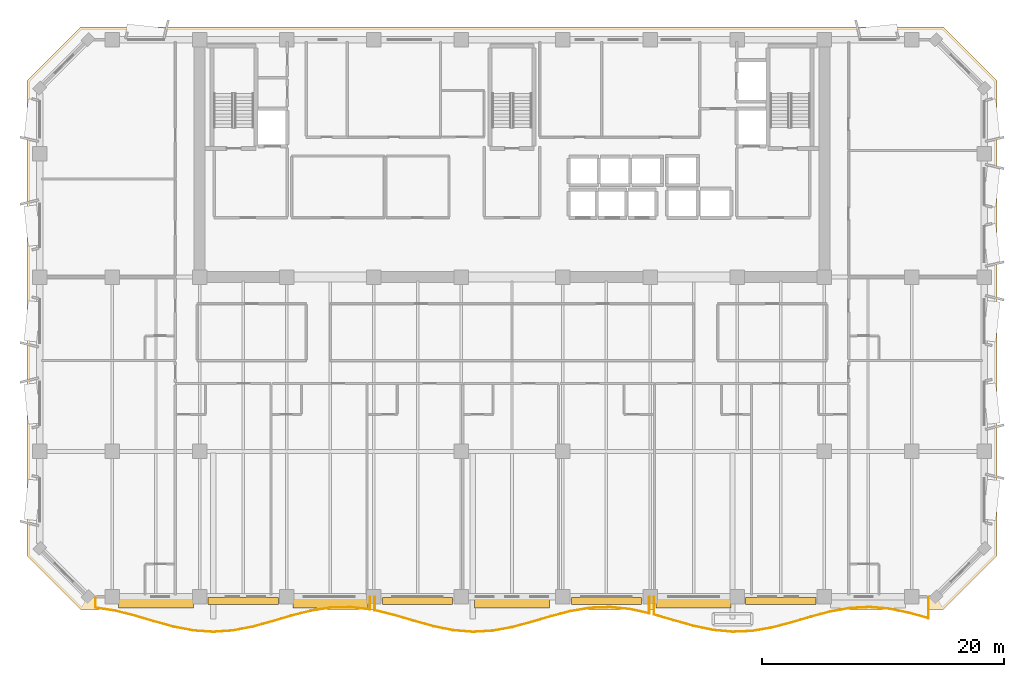
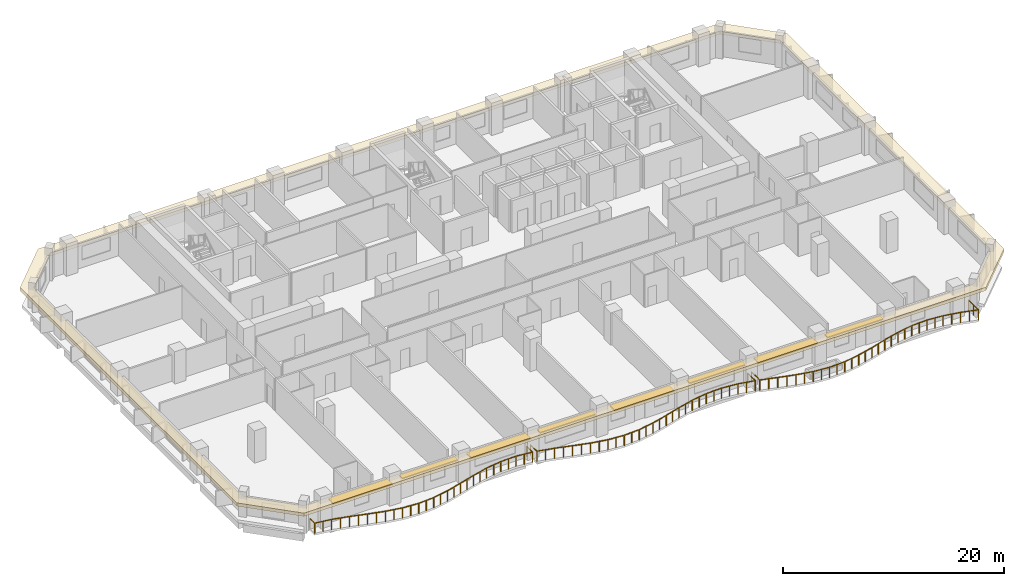
# One storey, part 11 of 15: 8 shading devices, 3 railings, 1 covering.
"""IFC4 building model written with IfcOpenShell, lengths in metres."""

from ifc_helpers import new_model, si_unit, direction, frame, origin, origin_2d, place, context, subcontext, project, spatial, polyline, rectangle, outline, extrude, material, layer, layer_set, type_object, element, save


model = new_model("IFC4")

# Units and contexts
model_context = context("Model", 3, precision=1e-05, world=origin(), true_north=direction((0.0, 1.0)))
body_context = subcontext(model_context, "Body", "Model", "MODEL_VIEW")
ifc_project = project(units=[si_unit("LENGTHUNIT", "METRE"), si_unit("AREAUNIT", "SQUARE_METRE"), si_unit("VOLUMEUNIT", "CUBIC_METRE"), si_unit("PLANEANGLEUNIT", "RADIAN"), si_unit("MASSUNIT", "GRAM", prefix="KILO")], contexts=[model_context])

# Site, building, storey
site_placement = place(None, origin())
site = spatial("IfcSite", under=ifc_project, at=site_placement, CompositionType="ELEMENT")
building_placement = place(site_placement, origin())
building = spatial("IfcBuilding", under=site, at=building_placement, Name="Kaelvorn Grand Hotel", CompositionType="ELEMENT")
storey_placement = place(building_placement, frame((0.0, 0.0, 173.35009765625)))
storey = spatial("IfcBuildingStorey", under=building, at=storey_placement, Name="L42", CompositionType="ELEMENT", Elevation=173.35009765625)

# Covering
ifc_material_1 = material(Name="Precast concrete C45/55", Category="concrete")
ifc_layer_1 = layer(ifc_material_1, 0.260009765625)
ifc_layer_set_1 = layer_set([ifc_layer_1], Name="Precast concrete C45/55")
covering_type = type_object("IfcCoveringType", Name="COV-BAND-STREAMLINE-HEAD", PredefinedType="CLADDING", material=ifc_layer_set_1)
covering_placement = place(storey_placement, frame((0.0, 0.0, 2.3798828125)))
element("IfcCovering", 1, at=covering_placement, inside=storey, type_object=covering_type, Name="L42 Streamline Moderne Wraparound Horizontal Eyebrow Band", PredefinedType="CLADDING", context=body_context, shape_type="SweptSolid", body=[
    extrude(outline(polyline([(6.389892578125, 1.949951171875), (77.610107421875, 1.949951171875), (82.050048828125, 6.389892578125), (82.050048828125, 45.610107421875), (77.610107421875, 50.050048828125), (6.389892578125, 50.050048828125), (1.949951171875, 45.610107421875), (1.949951171875, 6.389892578125), (6.389892578125, 1.949951171875)]), holes=[polyline([(7.02001953125, 3.030029296875), (76.97998046875, 3.030029296875), (80.969970703125, 7.02001953125), (80.969970703125, 44.97998046875), (76.97998046875, 48.969970703125), (7.02001953125, 48.969970703125), (3.030029296875, 44.97998046875), (3.030029296875, 7.02001953125), (7.02001953125, 3.030029296875)])]), origin(), (0.0, 0.0, 1.0), 0.360107421875),
])

# Railings
ifc_material_2 = material(Name="Stainless Steel", Category="steel")
railing_type = type_object("IfcRailingType", Name="RL-BALC-1150", PredefinedType="BALUSTRADE", material=ifc_material_2)
railing_1_placement = place(storey_placement, frame((7.60009765625, 3.0, 0.0)))
element("IfcRailing", 2, at=railing_1_placement, inside=storey, type_object=railing_type, Name="L42 Scalloped Wave Balcony Balustrade GR1-1", PredefinedType="BALUSTRADE", context=body_context, shape_type="SweptSolid", body=[
    extrude(rectangle(XDim=0.048095703125, YDim=0.048095703125, at=origin_2d()), frame((0.0, 0.0, 1.1259765625), z_axis=(0.0, -1.0, 0.0), x_axis=(1.0, 0.0, 0.0)), (0.0, 0.0, 1.0), 0.900146484375),
    extrude(rectangle(XDim=0.048095703125, YDim=0.048095703125, at=origin_2d()), frame((0.0, -0.900146484375, 1.1259765625), z_axis=(0.988307858042, -0.152471563682, 0.0), x_axis=(0.152471563682, 0.988307858042, 0.0)), (0.0, 0.0, 1.0), 1.637939453125),
    extrude(rectangle(XDim=0.048095703125, YDim=0.048095703125, at=origin_2d()), frame((1.618896484375, -1.14990234375, 1.1259765625), z_axis=(0.969728239304, -0.244186694758, 0.0), x_axis=(0.244186694758, 0.969728239304, 0.0)), (0.0, 0.0, 1.0), 1.669677734375),
    extrude(rectangle(XDim=0.048095703125, YDim=0.048095703125, at=origin_2d()), frame((3.238037109375, -1.5576171875, 1.1259765625), z_axis=(0.959259470677, -0.282526579133, 0.0), x_axis=(0.282526579133, 0.959259470677, 0.0)), (0.0, 0.0, 1.0), 1.687744140625),
    extrude(rectangle(XDim=0.048095703125, YDim=0.048095703125, at=origin_2d()), frame((4.85693359375, -2.034423828125, 1.1259765625), z_axis=(0.964679853883, -0.26342509279, 0.0), x_axis=(0.26342509279, 0.964679853883, 0.0)), (0.0, 0.0, 1.0), 1.678466796875),
    extrude(rectangle(XDim=0.048095703125, YDim=0.048095703125, at=origin_2d()), frame((6.47607421875, -2.4765625, 1.1259765625), z_axis=(0.982044449616, -0.188649672619, 0.0), x_axis=(0.188649672619, 0.982044449616, 0.0)), (0.0, 0.0, 1.0), 1.648681640625),
    extrude(rectangle(XDim=0.048095703125, YDim=0.048095703125, at=origin_2d()), frame((8.09521484375, -2.78759765625, 1.1259765625), z_axis=(0.997602472626, -0.069204816379, 0.0), x_axis=(0.069204816379, 0.997602472626, 0.0)), (0.0, 0.0, 1.0), 1.622802734375),
    extrude(rectangle(XDim=0.048095703125, YDim=0.048095703125, at=origin_2d()), frame((9.714111328125, -2.89990234375, 1.1259765625), z_axis=(0.997665093232, 0.068296132739, 0.0), x_axis=(-0.068296132739, 0.997665093232, 0.0)), (0.0, 0.0, 1.0), 1.623046875),
    extrude(rectangle(XDim=0.048095703125, YDim=0.048095703125, at=origin_2d()), frame((11.333251953125, -2.7890625, 1.1259765625), z_axis=(0.982181374251, 0.187935489132, 0.0), x_axis=(-0.187935489132, 0.982181374251, 0.0)), (0.0, 0.0, 1.0), 1.6484375),
    extrude(rectangle(XDim=0.048095703125, YDim=0.048095703125, at=origin_2d()), frame((12.952392578125, -2.479248046875, 1.1259765625), z_axis=(0.964780607215, 0.263055849471, 0.0), x_axis=(-0.263055849471, 0.964780607215, 0.0)), (0.0, 0.0, 1.0), 1.677978515625),
    extrude(rectangle(XDim=0.048095703125, YDim=0.048095703125, at=origin_2d()), frame((14.5712890625, -2.037841796875, 1.1259765625), z_axis=(0.959271015447, 0.282487378343, 0.0), x_axis=(-0.282487378343, 0.959271015447, 0.0)), (0.0, 0.0, 1.0), 1.68798828125),
    extrude(rectangle(XDim=0.048095703125, YDim=0.048095703125, at=origin_2d()), frame((16.1904296875, -1.56103515625, 1.1259765625), z_axis=(0.969580848493, 0.244771277391, 0.0), x_axis=(-0.244771277391, 0.969580848493, 0.0)), (0.0, 0.0, 1.0), 1.669677734375),
    extrude(rectangle(XDim=0.048095703125, YDim=0.048095703125, at=origin_2d()), frame((17.809326171875, -1.15234375, 1.1259765625), z_axis=(0.988176238823, 0.15332227831, 0.0), x_axis=(-0.15332227831, 0.988176238823, 0.0)), (0.0, 0.0, 1.0), 1.638427734375),
    extrude(rectangle(XDim=0.048095703125, YDim=0.048095703125, at=origin_2d()), frame((19.428466796875, -0.901123046875, 1.1259765625), z_axis=(0.999709108251, 0.024118434457, 0.0), x_axis=(-0.024118434457, 0.999709108251, 0.0)), (0.0, 0.0, 1.0), 1.61962890625),
    extrude(rectangle(XDim=0.048095703125, YDim=0.048095703125, at=origin_2d()), frame((21.047607421875, -0.862060546875, 1.1259765625), z_axis=(0.993780958286, -0.111352624341, 0.0), x_axis=(0.111352624341, 0.993780958286, 0.0)), (0.0, 0.0, 1.0), 1.62890625),
    extrude(rectangle(XDim=0.048095703125, YDim=0.048095703125, at=origin_2d()), frame((22.66650390625, -1.04345703125, 1.1259765625), z_axis=(0.0, 1.0, 0.0), x_axis=(-1.0, 0.0, 0.0)), (0.0, 0.0, 1.0), 1.04345703125),
    extrude(rectangle(XDim=0.0419921875, YDim=0.0419921875, at=origin_2d()), origin(), (0.0, 0.0, 1.0), 1.101806640625),
    extrude(rectangle(XDim=0.0419921875, YDim=0.0419921875, at=origin_2d()), frame((0.0, -0.900146484375, 0.0)), (0.0, 0.0, 1.0), 1.101806640625),
    extrude(rectangle(XDim=0.0419921875, YDim=0.0419921875, at=origin_2d()), frame((0.8095703125, -1.02490234375, 0.0)), (0.0, 0.0, 1.0), 1.101806640625),
    extrude(rectangle(XDim=0.0419921875, YDim=0.0419921875, at=origin_2d()), frame((1.618896484375, -1.14990234375, 0.0)), (0.0, 0.0, 1.0), 1.101806640625),
    extrude(rectangle(XDim=0.0419921875, YDim=0.0419921875, at=origin_2d()), frame((2.428466796875, -1.353759765625, 0.0)), (0.0, 0.0, 1.0), 1.101806640625),
    extrude(rectangle(XDim=0.0419921875, YDim=0.0419921875, at=origin_2d()), frame((3.238037109375, -1.5576171875, 0.0)), (0.0, 0.0, 1.0), 1.101806640625),
    extrude(rectangle(XDim=0.0419921875, YDim=0.0419921875, at=origin_2d()), frame((4.04736328125, -1.7958984375, 0.0)), (0.0, 0.0, 1.0), 1.101806640625),
    extrude(rectangle(XDim=0.0419921875, YDim=0.0419921875, at=origin_2d()), frame((4.85693359375, -2.034423828125, 0.0)), (0.0, 0.0, 1.0), 1.101806640625),
    extrude(rectangle(XDim=0.0419921875, YDim=0.0419921875, at=origin_2d()), frame((5.66650390625, -2.25537109375, 0.0)), (0.0, 0.0, 1.0), 1.101806640625),
    extrude(rectangle(XDim=0.0419921875, YDim=0.0419921875, at=origin_2d()), frame((6.47607421875, -2.4765625, 0.0)), (0.0, 0.0, 1.0), 1.101806640625),
    extrude(rectangle(XDim=0.0419921875, YDim=0.0419921875, at=origin_2d()), frame((7.28564453125, -2.632080078125, 0.0)), (0.0, 0.0, 1.0), 1.101806640625),
    extrude(rectangle(XDim=0.0419921875, YDim=0.0419921875, at=origin_2d()), frame((8.09521484375, -2.78759765625, 0.0)), (0.0, 0.0, 1.0), 1.101806640625),
    extrude(rectangle(XDim=0.0419921875, YDim=0.0419921875, at=origin_2d()), frame((8.90478515625, -2.84375, 0.0)), (0.0, 0.0, 1.0), 1.101806640625),
    extrude(rectangle(XDim=0.0419921875, YDim=0.0419921875, at=origin_2d()), frame((9.714111328125, -2.89990234375, 0.0)), (0.0, 0.0, 1.0), 1.101806640625),
    extrude(rectangle(XDim=0.0419921875, YDim=0.0419921875, at=origin_2d()), frame((10.523681640625, -2.844482421875, 0.0)), (0.0, 0.0, 1.0), 1.101806640625),
    extrude(rectangle(XDim=0.0419921875, YDim=0.0419921875, at=origin_2d()), frame((11.333251953125, -2.7890625, 0.0)), (0.0, 0.0, 1.0), 1.101806640625),
    extrude(rectangle(XDim=0.0419921875, YDim=0.0419921875, at=origin_2d()), frame((12.142822265625, -2.63427734375, 0.0)), (0.0, 0.0, 1.0), 1.101806640625),
    extrude(rectangle(XDim=0.0419921875, YDim=0.0419921875, at=origin_2d()), frame((12.952392578125, -2.479248046875, 0.0)), (0.0, 0.0, 1.0), 1.101806640625),
    extrude(rectangle(XDim=0.0419921875, YDim=0.0419921875, at=origin_2d()), frame((13.76171875, -2.258544921875, 0.0)), (0.0, 0.0, 1.0), 1.101806640625),
    extrude(rectangle(XDim=0.0419921875, YDim=0.0419921875, at=origin_2d()), frame((14.5712890625, -2.037841796875, 0.0)), (0.0, 0.0, 1.0), 1.101806640625),
    extrude(rectangle(XDim=0.0419921875, YDim=0.0419921875, at=origin_2d()), frame((15.380859375, -1.79931640625, 0.0)), (0.0, 0.0, 1.0), 1.101806640625),
    extrude(rectangle(XDim=0.0419921875, YDim=0.0419921875, at=origin_2d()), frame((16.1904296875, -1.56103515625, 0.0)), (0.0, 0.0, 1.0), 1.101806640625),
    extrude(rectangle(XDim=0.0419921875, YDim=0.0419921875, at=origin_2d()), frame((17.0, -1.356689453125, 0.0)), (0.0, 0.0, 1.0), 1.101806640625),
    extrude(rectangle(XDim=0.0419921875, YDim=0.0419921875, at=origin_2d()), frame((17.809326171875, -1.15234375, 0.0)), (0.0, 0.0, 1.0), 1.101806640625),
    extrude(rectangle(XDim=0.0419921875, YDim=0.0419921875, at=origin_2d()), frame((18.618896484375, -1.02685546875, 0.0)), (0.0, 0.0, 1.0), 1.101806640625),
    extrude(rectangle(XDim=0.0419921875, YDim=0.0419921875, at=origin_2d()), frame((19.428466796875, -0.901123046875, 0.0)), (0.0, 0.0, 1.0), 1.101806640625),
    extrude(rectangle(XDim=0.0419921875, YDim=0.0419921875, at=origin_2d()), frame((20.238037109375, -0.881591796875, 0.0)), (0.0, 0.0, 1.0), 1.101806640625),
    extrude(rectangle(XDim=0.0419921875, YDim=0.0419921875, at=origin_2d()), frame((21.047607421875, -0.862060546875, 0.0)), (0.0, 0.0, 1.0), 1.101806640625),
    extrude(rectangle(XDim=0.0419921875, YDim=0.0419921875, at=origin_2d()), frame((21.85693359375, -0.95263671875, 0.0)), (0.0, 0.0, 1.0), 1.101806640625),
    extrude(rectangle(XDim=0.0419921875, YDim=0.0419921875, at=origin_2d()), frame((22.66650390625, -1.04345703125, 0.0)), (0.0, 0.0, 1.0), 1.101806640625),
    extrude(rectangle(XDim=0.0419921875, YDim=0.0419921875, at=origin_2d()), frame((22.66650390625, 0.0, 0.0)), (0.0, 0.0, 1.0), 1.101806640625),
])
railing_2_placement = place(storey_placement, frame((30.666748046875, 3.0, 0.0)))
element("IfcRailing", 3, at=railing_2_placement, inside=storey, type_object=railing_type, Name="L42 Scalloped Wave Balcony Balustrade GR1-2", PredefinedType="BALUSTRADE", context=body_context, shape_type="SweptSolid", body=[
    extrude(rectangle(XDim=0.048095703125, YDim=0.048095703125, at=origin_2d()), frame((0.0, 0.0, 1.1259765625), z_axis=(0.0, -1.0, 0.0), x_axis=(1.0, 0.0, 0.0)), (0.0, 0.0, 1.0), 1.11865234375),
    extrude(rectangle(XDim=0.048095703125, YDim=0.048095703125, at=origin_2d()), frame((0.0, -1.11865234375, 1.1259765625), z_axis=(0.9713283842, -0.237741813838, 0.0), x_axis=(0.237741813838, 0.9713283842, 0.0)), (0.0, 0.0, 1.0), 1.666748046875),
    extrude(rectangle(XDim=0.048095703125, YDim=0.048095703125, at=origin_2d()), frame((1.618896484375, -1.514892578125, 1.1259765625), z_axis=(0.959623156728, -0.281288814337, 0.0), x_axis=(0.281288814337, 0.959623156728, 0.0)), (0.0, 0.0, 1.0), 1.687255859375),
    extrude(rectangle(XDim=0.048095703125, YDim=0.048095703125, at=origin_2d()), frame((3.238037109375, -1.989501953125, 1.1259765625), z_axis=(0.963526234918, -0.267613890941, 0.0), x_axis=(0.267613890941, 0.963526234918, 0.0)), (0.0, 0.0, 1.0), 1.680419921875),
    extrude(rectangle(XDim=0.048095703125, YDim=0.048095703125, at=origin_2d()), frame((4.857177734375, -2.439208984375, 1.1259765625), z_axis=(0.980215115577, -0.197935159065, 0.0), x_axis=(0.197935159065, 0.980215115577, 0.0)), (0.0, 0.0, 1.0), 1.651611328125),
    extrude(rectangle(XDim=0.048095703125, YDim=0.048095703125, at=origin_2d()), frame((6.47607421875, -2.76611328125, 1.1259765625), z_axis=(0.996652705427, -0.081751971012, 0.0), x_axis=(0.081751971012, 0.996652705427, 0.0)), (0.0, 0.0, 1.0), 1.62451171875),
    extrude(rectangle(XDim=0.048095703125, YDim=0.048095703125, at=origin_2d()), frame((8.09521484375, -2.89892578125, 1.1259765625), z_axis=(0.998455252645, 0.055561753616, 0.0), x_axis=(-0.055561753616, 0.998455252645, 0.0)), (0.0, 0.0, 1.0), 1.621337890625),
    extrude(rectangle(XDim=0.048095703125, YDim=0.048095703125, at=origin_2d()), frame((9.714111328125, -2.808837890625, 1.1259765625), z_axis=(0.983969459858, 0.178337046253, 0.0), x_axis=(-0.178337046253, 0.983969459858, 0.0)), (0.0, 0.0, 1.0), 1.6455078125),
    extrude(rectangle(XDim=0.048095703125, YDim=0.048095703125, at=origin_2d()), frame((11.333251953125, -2.515380859375, 1.1259765625), z_axis=(0.966072760568, 0.258270054959, 0.0), x_axis=(-0.258270054959, 0.966072760568, 0.0)), (0.0, 0.0, 1.0), 1.676025390625),
    extrude(rectangle(XDim=0.048095703125, YDim=0.048095703125, at=origin_2d()), frame((12.952392578125, -2.08251953125, 1.1259765625), z_axis=(0.959063249993, 0.283191953474, 0.0), x_axis=(-0.283191953474, 0.959063249993, 0.0)), (0.0, 0.0, 1.0), 1.68798828125),
    extrude(rectangle(XDim=0.048095703125, YDim=0.048095703125, at=origin_2d()), frame((14.5712890625, -1.6044921875, 1.1259765625), z_axis=(0.968082211029, 0.250632864345, 0.0), x_axis=(-0.250632864345, 0.968082211029, 0.0)), (0.0, 0.0, 1.0), 1.672607421875),
    extrude(rectangle(XDim=0.048095703125, YDim=0.048095703125, at=origin_2d()), frame((16.1904296875, -1.185302734375, 1.1259765625), z_axis=(0.986470210909, 0.163940608117, 0.0), x_axis=(-0.163940608117, 0.986470210909, 0.0)), (0.0, 0.0, 1.0), 1.64111328125),
    extrude(rectangle(XDim=0.048095703125, YDim=0.048095703125, at=origin_2d()), frame((17.809326171875, -0.916259765625, 1.1259765625), z_axis=(0.999312768097, 0.037067391579, 0.0), x_axis=(-0.037067391579, 0.999312768097, 0.0)), (0.0, 0.0, 1.0), 1.620361328125),
    extrude(rectangle(XDim=0.048095703125, YDim=0.048095703125, at=origin_2d()), frame((19.428466796875, -0.856201171875, 1.1259765625), z_axis=(0.995069818667, -0.099176892361, 0.0), x_axis=(0.099176892361, 0.995069818667, 0.0)), (0.0, 0.0, 1.0), 1.627197265625),
    extrude(rectangle(XDim=0.048095703125, YDim=0.048095703125, at=origin_2d()), frame((21.047607421875, -1.017578125, 1.1259765625), z_axis=(0.977618649076, -0.210384830679, 0.0), x_axis=(0.210384830679, 0.977618649076, 0.0)), (0.0, 0.0, 1.0), 1.656005859375),
    extrude(rectangle(XDim=0.048095703125, YDim=0.048095703125, at=origin_2d()), frame((22.66650390625, -1.365966796875, 1.1259765625), z_axis=(0.0, 1.0, 0.0), x_axis=(-1.0, 0.0, 0.0)), (0.0, 0.0, 1.0), 1.365966796875),
    extrude(rectangle(XDim=0.0419921875, YDim=0.0419921875, at=origin_2d()), origin(), (0.0, 0.0, 1.0), 1.101806640625),
    extrude(rectangle(XDim=0.0419921875, YDim=0.0419921875, at=origin_2d()), frame((0.0, -1.11865234375, 0.0)), (0.0, 0.0, 1.0), 1.101806640625),
    extrude(rectangle(XDim=0.0419921875, YDim=0.0419921875, at=origin_2d()), frame((0.8095703125, -1.31689453125, 0.0)), (0.0, 0.0, 1.0), 1.101806640625),
    extrude(rectangle(XDim=0.0419921875, YDim=0.0419921875, at=origin_2d()), frame((1.618896484375, -1.514892578125, 0.0)), (0.0, 0.0, 1.0), 1.101806640625),
    extrude(rectangle(XDim=0.0419921875, YDim=0.0419921875, at=origin_2d()), frame((2.428466796875, -1.752197265625, 0.0)), (0.0, 0.0, 1.0), 1.101806640625),
    extrude(rectangle(XDim=0.0419921875, YDim=0.0419921875, at=origin_2d()), frame((3.238037109375, -1.989501953125, 0.0)), (0.0, 0.0, 1.0), 1.101806640625),
    extrude(rectangle(XDim=0.0419921875, YDim=0.0419921875, at=origin_2d()), frame((4.047607421875, -2.21435546875, 0.0)), (0.0, 0.0, 1.0), 1.101806640625),
    extrude(rectangle(XDim=0.0419921875, YDim=0.0419921875, at=origin_2d()), frame((4.857177734375, -2.439208984375, 0.0)), (0.0, 0.0, 1.0), 1.101806640625),
    extrude(rectangle(XDim=0.0419921875, YDim=0.0419921875, at=origin_2d()), frame((5.66650390625, -2.6025390625, 0.0)), (0.0, 0.0, 1.0), 1.101806640625),
    extrude(rectangle(XDim=0.0419921875, YDim=0.0419921875, at=origin_2d()), frame((6.47607421875, -2.76611328125, 0.0)), (0.0, 0.0, 1.0), 1.101806640625),
    extrude(rectangle(XDim=0.0419921875, YDim=0.0419921875, at=origin_2d()), frame((7.28564453125, -2.83251953125, 0.0)), (0.0, 0.0, 1.0), 1.101806640625),
    extrude(rectangle(XDim=0.0419921875, YDim=0.0419921875, at=origin_2d()), frame((8.09521484375, -2.89892578125, 0.0)), (0.0, 0.0, 1.0), 1.101806640625),
    extrude(rectangle(XDim=0.0419921875, YDim=0.0419921875, at=origin_2d()), frame((8.90478515625, -2.85400390625, 0.0)), (0.0, 0.0, 1.0), 1.101806640625),
    extrude(rectangle(XDim=0.0419921875, YDim=0.0419921875, at=origin_2d()), frame((9.714111328125, -2.808837890625, 0.0)), (0.0, 0.0, 1.0), 1.101806640625),
    extrude(rectangle(XDim=0.0419921875, YDim=0.0419921875, at=origin_2d()), frame((10.523681640625, -2.662109375, 0.0)), (0.0, 0.0, 1.0), 1.101806640625),
    extrude(rectangle(XDim=0.0419921875, YDim=0.0419921875, at=origin_2d()), frame((11.333251953125, -2.515380859375, 0.0)), (0.0, 0.0, 1.0), 1.101806640625),
    extrude(rectangle(XDim=0.0419921875, YDim=0.0419921875, at=origin_2d()), frame((12.142822265625, -2.298828125, 0.0)), (0.0, 0.0, 1.0), 1.101806640625),
    extrude(rectangle(XDim=0.0419921875, YDim=0.0419921875, at=origin_2d()), frame((12.952392578125, -2.08251953125, 0.0)), (0.0, 0.0, 1.0), 1.101806640625),
    extrude(rectangle(XDim=0.0419921875, YDim=0.0419921875, at=origin_2d()), frame((13.76171875, -1.843505859375, 0.0)), (0.0, 0.0, 1.0), 1.101806640625),
    extrude(rectangle(XDim=0.0419921875, YDim=0.0419921875, at=origin_2d()), frame((14.5712890625, -1.6044921875, 0.0)), (0.0, 0.0, 1.0), 1.101806640625),
    extrude(rectangle(XDim=0.0419921875, YDim=0.0419921875, at=origin_2d()), frame((15.380859375, -1.39501953125, 0.0)), (0.0, 0.0, 1.0), 1.101806640625),
    extrude(rectangle(XDim=0.0419921875, YDim=0.0419921875, at=origin_2d()), frame((16.1904296875, -1.185302734375, 0.0)), (0.0, 0.0, 1.0), 1.101806640625),
    extrude(rectangle(XDim=0.0419921875, YDim=0.0419921875, at=origin_2d()), frame((17.0, -1.05078125, 0.0)), (0.0, 0.0, 1.0), 1.101806640625),
    extrude(rectangle(XDim=0.0419921875, YDim=0.0419921875, at=origin_2d()), frame((17.809326171875, -0.916259765625, 0.0)), (0.0, 0.0, 1.0), 1.101806640625),
    extrude(rectangle(XDim=0.0419921875, YDim=0.0419921875, at=origin_2d()), frame((18.618896484375, -0.88623046875, 0.0)), (0.0, 0.0, 1.0), 1.101806640625),
    extrude(rectangle(XDim=0.0419921875, YDim=0.0419921875, at=origin_2d()), frame((19.428466796875, -0.856201171875, 0.0)), (0.0, 0.0, 1.0), 1.101806640625),
    extrude(rectangle(XDim=0.0419921875, YDim=0.0419921875, at=origin_2d()), frame((20.238037109375, -0.93701171875, 0.0)), (0.0, 0.0, 1.0), 1.101806640625),
    extrude(rectangle(XDim=0.0419921875, YDim=0.0419921875, at=origin_2d()), frame((21.047607421875, -1.017578125, 0.0)), (0.0, 0.0, 1.0), 1.101806640625),
    extrude(rectangle(XDim=0.0419921875, YDim=0.0419921875, at=origin_2d()), frame((21.85693359375, -1.19189453125, 0.0)), (0.0, 0.0, 1.0), 1.101806640625),
    extrude(rectangle(XDim=0.0419921875, YDim=0.0419921875, at=origin_2d()), frame((22.66650390625, -1.365966796875, 0.0)), (0.0, 0.0, 1.0), 1.101806640625),
    extrude(rectangle(XDim=0.0419921875, YDim=0.0419921875, at=origin_2d()), frame((22.66650390625, 0.0, 0.0)), (0.0, 0.0, 1.0), 1.101806640625),
])
railing_3_placement = place(storey_placement, frame((53.7333984375, 3.0, 0.0)))
element("IfcRailing", 4, at=railing_3_placement, inside=storey, type_object=railing_type, Name="L42 Scalloped Wave Balcony Balustrade GR1-3", PredefinedType="BALUSTRADE", context=body_context, shape_type="SweptSolid", body=[
    extrude(rectangle(XDim=0.048095703125, YDim=0.048095703125, at=origin_2d()), frame((0.0, 0.0, 1.1259765625), z_axis=(0.0, -1.0, 0.0), x_axis=(1.0, 0.0, 0.0)), (0.0, 0.0, 1.0), 1.47265625),
    extrude(rectangle(XDim=0.048095703125, YDim=0.048095703125, at=origin_2d()), frame((0.0, -1.47265625, 1.1259765625), z_axis=(0.960079420187, -0.279727558408, 0.0), x_axis=(0.279727558408, 0.960079420187, 0.0)), (0.0, 0.0, 1.0), 1.686279296875),
    extrude(rectangle(XDim=0.048095703125, YDim=0.048095703125, at=origin_2d()), frame((1.618896484375, -1.9443359375, 1.1259765625), z_axis=(0.962508960519, -0.271249886491, 0.0), x_axis=(0.271249886491, 0.962508960519, 0.0)), (0.0, 0.0, 1.0), 1.68212890625),
    extrude(rectangle(XDim=0.048095703125, YDim=0.048095703125, at=origin_2d()), frame((3.238037109375, -2.400634765625, 1.1259765625), z_axis=(0.978407110046, -0.206687026715, 0.0), x_axis=(0.206687026715, 0.978407110046, 0.0)), (0.0, 0.0, 1.0), 1.65478515625),
    extrude(rectangle(XDim=0.048095703125, YDim=0.048095703125, at=origin_2d()), frame((4.857177734375, -2.74267578125, 1.1259765625), z_axis=(0.995559348542, -0.094135984246, 0.0), x_axis=(0.094135984246, 0.995559348542, 0.0)), (0.0, 0.0, 1.0), 1.626220703125),
    extrude(rectangle(XDim=0.048095703125, YDim=0.048095703125, at=origin_2d()), frame((6.47607421875, -2.895751953125, 1.1259765625), z_axis=(0.99909079622, 0.042633096401, 0.0), x_axis=(-0.042633096401, 0.99909079622, 0.0)), (0.0, 0.0, 1.0), 1.62060546875),
    extrude(rectangle(XDim=0.048095703125, YDim=0.048095703125, at=origin_2d()), frame((8.09521484375, -2.82666015625, 1.1259765625), z_axis=(0.985739432849, 0.168278847532, 0.0), x_axis=(-0.168278847532, 0.985739432849, 0.0)), (0.0, 0.0, 1.0), 1.642333984375),
    extrude(rectangle(XDim=0.048095703125, YDim=0.048095703125, at=origin_2d()), frame((9.714111328125, -2.55029296875, 1.1259765625), z_axis=(0.967441989908, 0.25309286075, 0.0), x_axis=(-0.25309286075, 0.967441989908, 0.0)), (0.0, 0.0, 1.0), 1.673583984375),
    extrude(rectangle(XDim=0.048095703125, YDim=0.048095703125, at=origin_2d()), frame((11.333251953125, -2.126708984375, 1.1259765625), z_axis=(0.959074846834, 0.283152676433, 0.0), x_axis=(-0.283152676433, 0.959074846834, 0.0)), (0.0, 0.0, 1.0), 1.688232421875),
    extrude(rectangle(XDim=0.048095703125, YDim=0.048095703125, at=origin_2d()), frame((12.952392578125, -1.648681640625, 1.1259765625), z_axis=(0.966642622389, 0.256128953029, 0.0), x_axis=(-0.256128953029, 0.966642622389, 0.0)), (0.0, 0.0, 1.0), 1.6748046875),
    extrude(rectangle(XDim=0.048095703125, YDim=0.048095703125, at=origin_2d()), frame((14.5712890625, -1.2197265625, 1.1259765625), z_axis=(0.984716220837, 0.174166484777, 0.0), x_axis=(-0.174166484777, 0.984716220837, 0.0)), (0.0, 0.0, 1.0), 1.644287109375),
    extrude(rectangle(XDim=0.048095703125, YDim=0.048095703125, at=origin_2d()), frame((16.1904296875, -0.933349609375, 1.1259765625), z_axis=(0.998741801419, 0.050147922176, 0.0), x_axis=(-0.050147922176, 0.998741801419, 0.0)), (0.0, 0.0, 1.0), 1.62109375),
    extrude(rectangle(XDim=0.048095703125, YDim=0.048095703125, at=origin_2d()), frame((17.8095703125, -0.85205078125, 1.1259765625), z_axis=(0.996196489167, -0.087135268243, 0.0), x_axis=(0.087135268243, 0.996196489167, 0.0)), (0.0, 0.0, 1.0), 1.625),
    extrude(rectangle(XDim=0.048095703125, YDim=0.048095703125, at=origin_2d()), frame((19.428466796875, -0.99365234375, 1.1259765625), z_axis=(0.979469052687, -0.201594580355, 0.0), x_axis=(0.201594580355, 0.979469052687, 0.0)), (0.0, 0.0, 1.0), 1.653076171875),
    extrude(rectangle(XDim=0.048095703125, YDim=0.048095703125, at=origin_2d()), frame((21.047607421875, -1.326904296875, 1.1259765625), z_axis=(0.963027343194, -0.269403667867, 0.0), x_axis=(0.269403667867, 0.963027343194, 0.0)), (0.0, 0.0, 1.0), 1.68115234375),
    extrude(rectangle(XDim=0.048095703125, YDim=0.048095703125, at=origin_2d()), frame((22.66650390625, -1.77978515625, 1.1259765625), z_axis=(0.0, 1.0, 0.0), x_axis=(-1.0, 0.0, 0.0)), (0.0, 0.0, 1.0), 1.77978515625),
    extrude(rectangle(XDim=0.0419921875, YDim=0.0419921875, at=origin_2d()), origin(), (0.0, 0.0, 1.0), 1.101806640625),
    extrude(rectangle(XDim=0.0419921875, YDim=0.0419921875, at=origin_2d()), frame((0.0, -1.47265625, 0.0)), (0.0, 0.0, 1.0), 1.101806640625),
    extrude(rectangle(XDim=0.0419921875, YDim=0.0419921875, at=origin_2d()), frame((0.8095703125, -1.70849609375, 0.0)), (0.0, 0.0, 1.0), 1.101806640625),
    extrude(rectangle(XDim=0.0419921875, YDim=0.0419921875, at=origin_2d()), frame((1.618896484375, -1.9443359375, 0.0)), (0.0, 0.0, 1.0), 1.101806640625),
    extrude(rectangle(XDim=0.0419921875, YDim=0.0419921875, at=origin_2d()), frame((2.428466796875, -2.17236328125, 0.0)), (0.0, 0.0, 1.0), 1.101806640625),
    extrude(rectangle(XDim=0.0419921875, YDim=0.0419921875, at=origin_2d()), frame((3.238037109375, -2.400634765625, 0.0)), (0.0, 0.0, 1.0), 1.101806640625),
    extrude(rectangle(XDim=0.0419921875, YDim=0.0419921875, at=origin_2d()), frame((4.047607421875, -2.57177734375, 0.0)), (0.0, 0.0, 1.0), 1.101806640625),
    extrude(rectangle(XDim=0.0419921875, YDim=0.0419921875, at=origin_2d()), frame((4.857177734375, -2.74267578125, 0.0)), (0.0, 0.0, 1.0), 1.101806640625),
    extrude(rectangle(XDim=0.0419921875, YDim=0.0419921875, at=origin_2d()), frame((5.66650390625, -2.8193359375, 0.0)), (0.0, 0.0, 1.0), 1.101806640625),
    extrude(rectangle(XDim=0.0419921875, YDim=0.0419921875, at=origin_2d()), frame((6.47607421875, -2.895751953125, 0.0)), (0.0, 0.0, 1.0), 1.101806640625),
    extrude(rectangle(XDim=0.0419921875, YDim=0.0419921875, at=origin_2d()), frame((7.28564453125, -2.861328125, 0.0)), (0.0, 0.0, 1.0), 1.101806640625),
    extrude(rectangle(XDim=0.0419921875, YDim=0.0419921875, at=origin_2d()), frame((8.09521484375, -2.82666015625, 0.0)), (0.0, 0.0, 1.0), 1.101806640625),
    extrude(rectangle(XDim=0.0419921875, YDim=0.0419921875, at=origin_2d()), frame((8.90478515625, -2.6884765625, 0.0)), (0.0, 0.0, 1.0), 1.101806640625),
    extrude(rectangle(XDim=0.0419921875, YDim=0.0419921875, at=origin_2d()), frame((9.714111328125, -2.55029296875, 0.0)), (0.0, 0.0, 1.0), 1.101806640625),
    extrude(rectangle(XDim=0.0419921875, YDim=0.0419921875, at=origin_2d()), frame((10.523681640625, -2.33837890625, 0.0)), (0.0, 0.0, 1.0), 1.101806640625),
    extrude(rectangle(XDim=0.0419921875, YDim=0.0419921875, at=origin_2d()), frame((11.333251953125, -2.126708984375, 0.0)), (0.0, 0.0, 1.0), 1.101806640625),
    extrude(rectangle(XDim=0.0419921875, YDim=0.0419921875, at=origin_2d()), frame((12.142822265625, -1.8876953125, 0.0)), (0.0, 0.0, 1.0), 1.101806640625),
    extrude(rectangle(XDim=0.0419921875, YDim=0.0419921875, at=origin_2d()), frame((12.952392578125, -1.648681640625, 0.0)), (0.0, 0.0, 1.0), 1.101806640625),
    extrude(rectangle(XDim=0.0419921875, YDim=0.0419921875, at=origin_2d()), frame((13.76171875, -1.43408203125, 0.0)), (0.0, 0.0, 1.0), 1.101806640625),
    extrude(rectangle(XDim=0.0419921875, YDim=0.0419921875, at=origin_2d()), frame((14.5712890625, -1.2197265625, 0.0)), (0.0, 0.0, 1.0), 1.101806640625),
    extrude(rectangle(XDim=0.0419921875, YDim=0.0419921875, at=origin_2d()), frame((15.380859375, -1.07666015625, 0.0)), (0.0, 0.0, 1.0), 1.101806640625),
    extrude(rectangle(XDim=0.0419921875, YDim=0.0419921875, at=origin_2d()), frame((16.1904296875, -0.933349609375, 0.0)), (0.0, 0.0, 1.0), 1.101806640625),
    extrude(rectangle(XDim=0.0419921875, YDim=0.0419921875, at=origin_2d()), frame((17.0, -0.892578125, 0.0)), (0.0, 0.0, 1.0), 1.101806640625),
    extrude(rectangle(XDim=0.0419921875, YDim=0.0419921875, at=origin_2d()), frame((17.8095703125, -0.85205078125, 0.0)), (0.0, 0.0, 1.0), 1.101806640625),
    extrude(rectangle(XDim=0.0419921875, YDim=0.0419921875, at=origin_2d()), frame((18.619140625, -0.9228515625, 0.0)), (0.0, 0.0, 1.0), 1.101806640625),
    extrude(rectangle(XDim=0.0419921875, YDim=0.0419921875, at=origin_2d()), frame((19.428466796875, -0.99365234375, 0.0)), (0.0, 0.0, 1.0), 1.101806640625),
    extrude(rectangle(XDim=0.0419921875, YDim=0.0419921875, at=origin_2d()), frame((20.238037109375, -1.16015625, 0.0)), (0.0, 0.0, 1.0), 1.101806640625),
    extrude(rectangle(XDim=0.0419921875, YDim=0.0419921875, at=origin_2d()), frame((21.047607421875, -1.326904296875, 0.0)), (0.0, 0.0, 1.0), 1.101806640625),
    extrude(rectangle(XDim=0.0419921875, YDim=0.0419921875, at=origin_2d()), frame((21.85693359375, -1.55322265625, 0.0)), (0.0, 0.0, 1.0), 1.101806640625),
    extrude(rectangle(XDim=0.0419921875, YDim=0.0419921875, at=origin_2d()), frame((22.66650390625, -1.77978515625, 0.0)), (0.0, 0.0, 1.0), 1.101806640625),
    extrude(rectangle(XDim=0.0419921875, YDim=0.0419921875, at=origin_2d()), frame((22.66650390625, -0.889892578125, 0.0)), (0.0, 0.0, 1.0), 1.101806640625),
    extrude(rectangle(XDim=0.0419921875, YDim=0.0419921875, at=origin_2d()), frame((22.66650390625, 0.0, 0.0)), (0.0, 0.0, 1.0), 1.101806640625),
])

# Shading devices
ifc_layer_2 = layer(ifc_material_1, 0.1201171875)
ifc_layer_set_2 = layer_set([ifc_layer_2], Name="Precast concrete C45/55")
shading_device_type_1 = type_object("IfcShadingDeviceType", Name="SHD-SUNSHADE-550", PredefinedType="USERDEFINED", material=ifc_layer_set_2)
for number, where, z_axis, x_axis, name in (
    (5, (19.800048828125, 2.64501953125, 2.559814453125), (0.0, 0.0, 1.0), (1.0, 0.0, 0.0), "L42 Horizontal Concrete Sunshade Band SS-03"),
    (6, (34.199951171875, 2.64501953125, 2.559814453125), (0.0, 0.0, 1.0), (1.0, 0.0, 0.0), "L42 Horizontal Concrete Sunshade Band SS-05"),
    (7, (49.800048828125, 2.64501953125, 2.559814453125), (0.0, 0.0, 1.0), (1.0, 0.0, 0.0), "L42 Horizontal Concrete Sunshade Band SS-07"),
    (8, (64.199951171875, 2.64501953125, 2.559814453125), (0.0, 0.0, 1.0), (1.0, 0.0, 0.0), "L42 Horizontal Concrete Sunshade Band SS-09"),
):
    element("IfcShadingDevice", number, at=place(storey_placement, frame(where, z_axis=z_axis, x_axis=x_axis)), inside=storey, type_object=shading_device_type_1, Name=name, ObjectType="SUNSHADE", PredefinedType="USERDEFINED", context=body_context, shape_type="SweptSolid", body=[
        extrude(rectangle(XDim=5.800048828125, YDim=0.550048828125, at=origin_2d()), origin(), (0.0, 0.0, 1.0), 0.1201171875),
    ])
ifc_layer_3 = layer(ifc_material_1, 0.139892578125)
ifc_layer_set_3 = layer_set([ifc_layer_3], Name="Precast concrete C45/55")
shading_device_type_2 = type_object("IfcShadingDeviceType", Name="SHD-SUNSHADE-850", PredefinedType="USERDEFINED", material=ifc_layer_set_3)
for number, where, z_axis, x_axis, name in (
    (9, (12.60009765625, 2.4951171875, 2.5498046875), (0.0, 0.0, 1.0), (1.0, 0.0, 0.0), "L42 Horizontal Concrete Sunshade Band SS-02"),
    (10, (27.0, 2.4951171875, 2.5498046875), (0.0, 0.0, 1.0), (1.0, 0.0, 0.0), "L42 Horizontal Concrete Sunshade Band SS-04"),
    (11, (42.0, 2.4951171875, 2.5498046875), (0.0, 0.0, 1.0), (1.0, 0.0, 0.0), "L42 Horizontal Concrete Sunshade Band SS-06"),
    (12, (57.0, 2.4951171875, 2.5498046875), (0.0, 0.0, 1.0), (1.0, 0.0, 0.0), "L42 Horizontal Concrete Sunshade Band SS-08"),
):
    element("IfcShadingDevice", number, at=place(storey_placement, frame(where, z_axis=z_axis, x_axis=x_axis)), inside=storey, type_object=shading_device_type_2, Name=name, ObjectType="SUNSHADE", PredefinedType="USERDEFINED", context=body_context, shape_type="SweptSolid", body=[
        extrude(rectangle(XDim=6.199951171875, YDim=0.85009765625, at=origin_2d()), origin(), (0.0, 0.0, 1.0), 0.139892578125),
    ])

save(model, "model.ifc")
